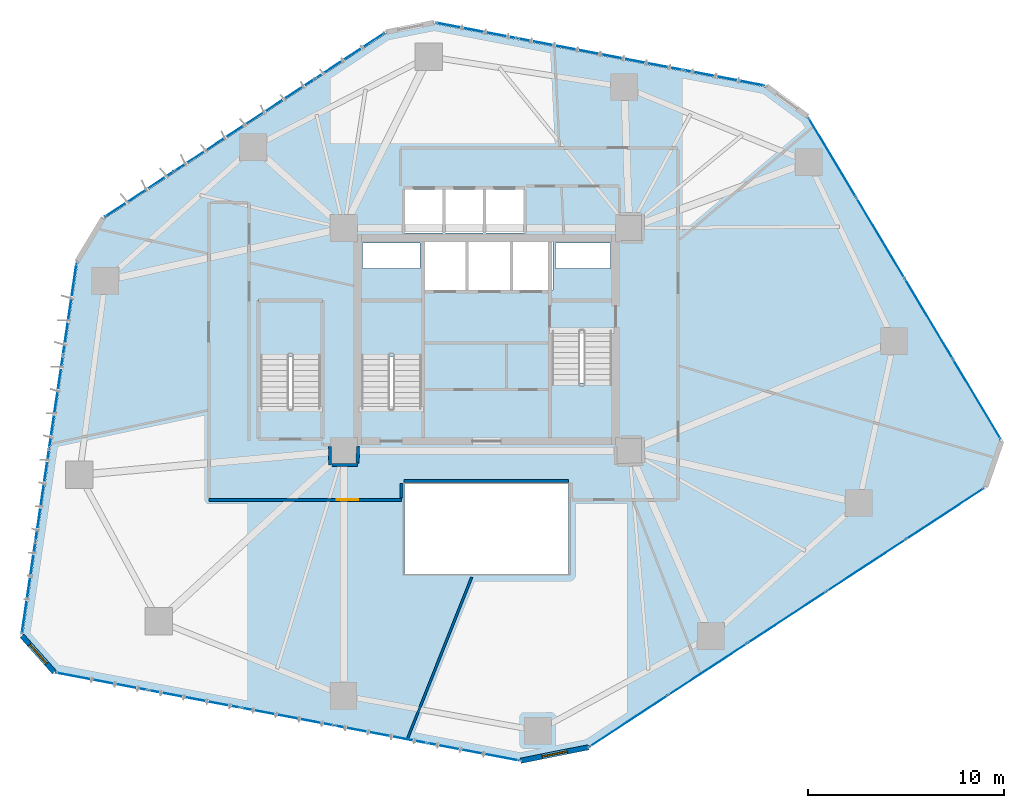
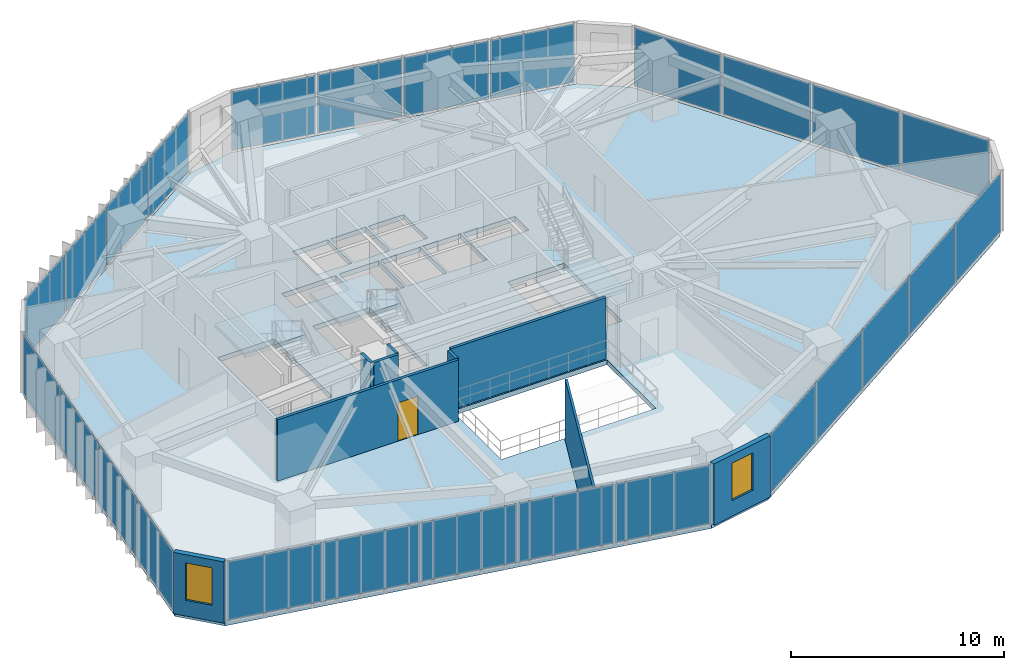
# One storey, part 15 of 20: 26 plates, 9 walls, 4 slabs, 2 windows, 1 door, 3 openings, 9 elements without a shape of their own.
"""IFC4 building model written with IfcOpenShell, lengths in metres."""

from ifc_helpers import new_model, si_unit, direction, frame, frame_2d, origin, origin_2d, place, context, subcontext, project, spatial, polyline, rectangle, outline, extrude, source, transform, mapped, material, layer, layer_set, type_object, type_shapes, element, fill, aggregate, save


model = new_model("IFC4")

# Units and contexts
model_context = context("Model", 3, precision=1e-05, world=origin(), true_north=direction((0.0, 1.0)))
body_context = subcontext(model_context, "Body", "Model", "MODEL_VIEW")
ifc_project = project(units=[si_unit("LENGTHUNIT", "METRE"), si_unit("AREAUNIT", "SQUARE_METRE"), si_unit("VOLUMEUNIT", "CUBIC_METRE"), si_unit("PLANEANGLEUNIT", "RADIAN"), si_unit("MASSUNIT", "GRAM", prefix="KILO")], contexts=[model_context])

# Site, building, storey
site_placement = place(None, origin())
site = spatial("IfcSite", under=ifc_project, at=site_placement, CompositionType="ELEMENT")
building_placement = place(site_placement, origin())
building = spatial("IfcBuilding", under=site, at=building_placement, Name="Talar Marvaseh", CompositionType="ELEMENT")
storey_placement = place(building_placement, frame((0.0, 0.0, 58.199951171875)))
storey = spatial("IfcBuildingStorey", under=building, at=storey_placement, Name="L14", CompositionType="ELEMENT", Elevation=58.199951171875)

# Stair, slab
ifc_material_1 = material(Name="Concrete C40/50", Category="concrete")
stair_type = type_object("IfcStairType", Name="Reinforced Concrete Half-Turn Exit Stair Type B", PredefinedType="HALF_TURN_STAIR", material=ifc_material_1)
stair_1_placement = place(storey_placement, origin())
stair_1 = element("IfcStair", 1, at=stair_1_placement, inside=storey, type_object=stair_type, Name="L14 Tower West Core Exit Stair", PredefinedType="HALF_TURN_STAIR")
ifc_layer_1 = layer(ifc_material_1, 0.199951171875)
ifc_layer_set_1 = layer_set([ifc_layer_1], Name="Concrete C40/50")
slab_type_1 = type_object("IfcSlabType", Name="Reinforced Concrete Stair Half-Landing Slab 200", PredefinedType="LANDING", material=ifc_layer_set_1)
slab_1_placement = place(storey_placement, frame((0.0, 0.0, 1.699951171875)))
slab_1 = element("IfcSlab", 2, at=slab_1_placement, type_object=slab_type_1, Name="ST-1 landing 1", PredefinedType="LANDING", context=body_context, shape_type="SweptSolid", body=[
    extrude(outline(polyline([(22.780029296875, 30.330078125), (22.780029296875, 33.219970703125), (19.47998046875, 33.219970703125), (19.47998046875, 30.330078125), (22.780029296875, 30.330078125)])), origin(), (0.0, 0.0, 1.0), 0.2001953125),
])
aggregate(stair_1, [slab_1])

stair_2_placement = place(storey_placement, origin())
stair_2 = element("IfcStair", 3, at=stair_2_placement, inside=storey, type_object=stair_type, Name="L14 Tower East Core Exit Stair", PredefinedType="HALF_TURN_STAIR")
slab_2_placement = place(storey_placement, frame((0.0, 0.0, 1.699951171875)))
slab_2 = element("IfcSlab", 4, at=slab_2_placement, type_object=slab_type_1, Name="ST-2 landing 1", PredefinedType="LANDING", context=body_context, shape_type="SweptSolid", body=[
    extrude(outline(polyline([(29.219970703125, 28.969970703125), (29.219970703125, 26.080078125), (32.52001953125, 26.080078125), (32.52001953125, 28.969970703125), (29.219970703125, 28.969970703125)])), origin(), (0.0, 0.0, 1.0), 0.2001953125),
])
aggregate(stair_2, [slab_2])

stair_3_placement = place(storey_placement, origin())
stair_3 = element("IfcStair", 5, at=stair_3_placement, inside=storey, type_object=stair_type, Name="L14 Museum & Podium Auxiliary Exit Stair", PredefinedType="HALF_TURN_STAIR")
slab_3_placement = place(storey_placement, frame((0.0, 0.0, 1.699951171875)))
slab_3 = element("IfcSlab", 6, at=slab_3_placement, type_object=slab_type_1, Name="ST-3 landing 1", PredefinedType="LANDING", context=body_context, shape_type="SweptSolid", body=[
    extrude(outline(polyline([(17.6201171875, 30.330078125), (17.6201171875, 33.219970703125), (14.320068359375, 33.219970703125), (14.320068359375, 30.330078125), (17.6201171875, 30.330078125)])), origin(), (0.0, 0.0, 1.0), 0.2001953125),
])
aggregate(stair_3, [slab_3])

# Slab
ifc_layer_2 = layer(ifc_material_1, 0.280029296875)
ifc_layer_set_2 = layer_set([ifc_layer_2], Name="Concrete C40/50")
slab_type_2 = type_object("IfcSlabType", Name="Structural Suspended Floor Slab 280", PredefinedType="FLOOR", material=ifc_layer_set_2)
slab_4_placement = place(storey_placement, frame((0.0, 0.0, -0.280029296875)))
element("IfcSlab", 7, at=slab_4_placement, inside=storey, type_object=slab_type_2, Name="L14 Tower Floor Slab", PredefinedType="FLOOR", context=body_context, shape_type="SweptSolid", body=[
    extrude(outline(polyline([(3.93359375, 14.22607421875), (2.281982421875, 16.081298828125), (5.09765625, 35.14111328125), (6.45361328125, 37.38671875), (20.8662109375, 46.860595703125), (23.333984375, 47.351318359375), (40.27490234375, 44.1142578125), (42.38720703125, 42.558349609375), (52.282470703125, 26.027099609375), (51.46630859375, 23.680908203125), (31.203857421875, 10.400634765625), (27.73583984375, 9.710693359375), (3.93359375, 14.22607421875)]), holes=[polyline([(22.659912109375, 27.64990234375), (22.659912109375, 33.10009765625), (19.60009765625, 33.10009765625), (19.60009765625, 27.64990234375), (22.659912109375, 27.64990234375)]), polyline([(29.340087890625, 31.64990234375), (29.340087890625, 26.199951171875), (32.39990234375, 26.199951171875), (32.39990234375, 31.64990234375), (29.340087890625, 31.64990234375)]), polyline([(17.5, 27.64990234375), (17.5, 33.10009765625), (14.43994140625, 33.10009765625), (14.43994140625, 27.64990234375), (17.5, 27.64990234375)]), polyline([(22.800048828125, 33.719970703125), (24.93994140625, 33.719970703125), (24.93994140625, 36.179931640625), (22.800048828125, 36.179931640625), (22.800048828125, 33.719970703125)]), polyline([(25.080078125, 33.719970703125), (27.219970703125, 33.719970703125), (27.219970703125, 36.179931640625), (25.080078125, 36.179931640625), (25.080078125, 33.719970703125)]), polyline([(27.360107421875, 33.719970703125), (29.39990234375, 33.719970703125), (29.39990234375, 36.179931640625), (27.360107421875, 36.179931640625), (27.360107421875, 33.719970703125)]), polyline([(21.840087890625, 36.659912109375), (23.760009765625, 36.659912109375), (23.760009765625, 38.8798828125), (21.840087890625, 38.8798828125), (21.840087890625, 36.659912109375)]), polyline([(23.89990234375, 36.659912109375), (25.820068359375, 36.659912109375), (25.820068359375, 38.8798828125), (23.89990234375, 38.8798828125), (23.89990234375, 36.659912109375)]), polyline([(25.9599609375, 36.659912109375), (27.8798828125, 36.659912109375), (27.8798828125, 38.8798828125), (25.9599609375, 38.8798828125), (25.9599609375, 36.659912109375)]), polyline([(19.659912109375, 34.840087890625), (22.60009765625, 34.840087890625), (22.60009765625, 36.139892578125), (19.659912109375, 36.139892578125), (19.659912109375, 34.840087890625)]), polyline([(29.52001953125, 34.840087890625), (32.340087890625, 34.840087890625), (32.340087890625, 36.139892578125), (29.52001953125, 36.139892578125), (29.52001953125, 34.840087890625)]), polyline([(21.800048828125, 19.199951171875), (30.199951171875, 19.199951171875), (30.199951171875, 23.800048828125), (21.800048828125, 23.800048828125), (21.800048828125, 19.199951171875)])]), origin(), (0.0, 0.0, 1.0), 0.280029296875),
])

# Curtain wall, plates
ifc_material_2 = material(Name="Architectural Aluminium", Category="aluminium")
ifc_layer_3 = layer(ifc_material_2, 0.219970703125)
ifc_layer_set_3 = layer_set([ifc_layer_3], Name="Architectural Aluminium")
curtain_wall_type = type_object("IfcCurtainWallType", Name="Unitised Low-E Museum Curtain Wall Z1", PredefinedType="NOTDEFINED", material=ifc_layer_set_3)
curtain_wall_1_placement = place(storey_placement, origin())
curtain_wall_1 = element("IfcCurtainWall", 8, at=curtain_wall_1_placement, inside=storey, type_object=curtain_wall_type, Name="L14 Unitised Low-E Museum Curtain Wall Z1", PredefinedType="NOTDEFINED")
ifc_material_3 = material(Name="Laminated Low-E Solar Glass", Category="glass")
ifc_layer_4 = layer(ifc_material_3, 0.028076171875)
ifc_layer_set_4 = layer_set([ifc_layer_4], Name="Laminated Low-E Solar Glass")
plate_type = type_object("IfcPlateType", Name="Double-Glazed Low-E Vision Curtain Panel 28", PredefinedType="CURTAIN_PANEL", material=ifc_layer_set_4)
shared_shape_1 = source(origin(), body_context, "Body", "SweptSolid", [
    extrude(rectangle(XDim=4.696533203125, YDim=0.028076171875, at=origin_2d()), origin(), (0.0, 0.0, 1.0), 3.3701171875),
])
plate_1_placement = place(storey_placement, frame((2.577392578125, 18.492431640625, 0.074951171875), z_axis=(0.0, 0.0, 1.0), x_axis=(0.146150238347, 0.989262405953, 0.0)))
plate_1 = element("IfcPlate", 9, at=plate_1_placement, type_object=plate_type, Name="CW-Z1 panel 1.1", PredefinedType="CURTAIN_PANEL", context=body_context, shape_type="MappedRepresentation", body=[
    mapped(shared_shape_1, transform((0.0, 0.0, 0.0), x_axis=(1.0, 0.0, 0.0), y_axis=(0.0, 1.0, 0.0), z_axis=(0.0, 0.0, 1.0), scale=1.0)),
])
plate_2_placement = place(storey_placement, frame((4.683349609375, 32.74755859375, 0.074951171875), z_axis=(0.0, 0.0, 1.0), x_axis=(0.146150238347, 0.989262405953, 0.0)))
plate_2 = element("IfcPlate", 10, at=plate_2_placement, type_object=plate_type, Name="CW-Z1 panel 4.1", PredefinedType="CURTAIN_PANEL", context=body_context, shape_type="MappedRepresentation", body=[
    mapped(shared_shape_1, transform((0.0, 0.0, 0.0), x_axis=(1.0, 0.0, 0.0), y_axis=(0.0, 1.0, 0.0), z_axis=(0.0, 0.0, 1.0), scale=1.0)),
])

curtain_wall_2_placement = place(storey_placement, origin())
curtain_wall_2 = element("IfcCurtainWall", 11, at=curtain_wall_2_placement, inside=storey, type_object=curtain_wall_type, Name="L14 Unitised Low-E Museum Curtain Wall Z1", PredefinedType="NOTDEFINED")
plate_3_placement = place(storey_placement, frame((43.685791015625, 40.505615234375, 0.074951171875), z_axis=(0.0, 0.0, 1.0), x_axis=(0.513601665445, -0.858028746169, 0.0)))
plate_3 = element("IfcPlate", 12, at=plate_3_placement, type_object=plate_type, Name="CW-Z1 panel 1.1", PredefinedType="CURTAIN_PANEL", context=body_context, shape_type="MappedRepresentation", body=[
    mapped(shared_shape_1, transform((0.0, 0.0, 0.0), x_axis=(1.0, 0.0, 0.0), y_axis=(0.0, 1.0, 0.0), z_axis=(0.0, 0.0, 1.0), scale=1.0)),
])
plate_4_placement = place(storey_placement, frame((51.086669921875, 28.141357421875, 0.074951171875), z_axis=(0.0, 0.0, 1.0), x_axis=(0.513601665445, -0.858028746169, 0.0)))
plate_4 = element("IfcPlate", 13, at=plate_4_placement, type_object=plate_type, Name="CW-Z1 panel 4.1", PredefinedType="CURTAIN_PANEL", context=body_context, shape_type="MappedRepresentation", body=[
    mapped(shared_shape_1, transform((0.0, 0.0, 0.0), x_axis=(1.0, 0.0, 0.0), y_axis=(0.0, 1.0, 0.0), z_axis=(0.0, 0.0, 1.0), scale=1.0)),
])

# Plate
shared_shape_2 = source(origin(), body_context, "Body", "SweptSolid", [
    extrude(rectangle(XDim=4.736572265625, YDim=0.028076171875, at=origin_2d()), origin(), (0.0, 0.0, 1.0), 3.3701171875),
])
plate_5_placement = place(storey_placement, frame((3.2783203125, 23.237548828125, 0.074951171875), z_axis=(0.0, 0.0, 1.0), x_axis=(0.146150238347, 0.989262405953, 0.0)))
plate_5 = element("IfcPlate", 14, at=plate_5_placement, type_object=plate_type, Name="CW-Z1 panel 2.1", PredefinedType="CURTAIN_PANEL", context=body_context, shape_type="MappedRepresentation", body=[
    mapped(shared_shape_2, transform((0.0, 0.0, 0.0), x_axis=(1.0, 0.0, 0.0), y_axis=(0.0, 1.0, 0.0), z_axis=(0.0, 0.0, 1.0), scale=1.0)),
])

plate_6_placement = place(storey_placement, frame((3.982421875, 28.00244140625, 0.074951171875), z_axis=(0.0, 0.0, 1.0), x_axis=(0.146150238347, 0.989262405953, 0.0)))
plate_6 = element("IfcPlate", 15, at=plate_6_placement, type_object=plate_type, Name="CW-Z1 panel 3.1", PredefinedType="CURTAIN_PANEL", context=body_context, shape_type="MappedRepresentation", body=[
    mapped(shared_shape_2, transform((0.0, 0.0, 0.0), x_axis=(1.0, 0.0, 0.0), y_axis=(0.0, 1.0, 0.0), z_axis=(0.0, 0.0, 1.0), scale=1.0)),
])

aggregate(curtain_wall_1, [plate_1, plate_5, plate_6, plate_2])

plate_7_placement = place(storey_placement, frame((46.1494140625, 36.389892578125, 0.074951171875), z_axis=(0.0, 0.0, 1.0), x_axis=(0.513601665445, -0.858028746169, 0.0)))
plate_7 = element("IfcPlate", 16, at=plate_7_placement, type_object=plate_type, Name="CW-Z1 panel 2.1", PredefinedType="CURTAIN_PANEL", context=body_context, shape_type="MappedRepresentation", body=[
    mapped(shared_shape_2, transform((0.0, 0.0, 0.0), x_axis=(1.0, 0.0, 0.0), y_axis=(0.0, 1.0, 0.0), z_axis=(0.0, 0.0, 1.0), scale=1.0)),
])

plate_8_placement = place(storey_placement, frame((48.623046875, 32.257080078125, 0.074951171875), z_axis=(0.0, 0.0, 1.0), x_axis=(0.513601665445, -0.858028746169, 0.0)))
plate_8 = element("IfcPlate", 17, at=plate_8_placement, type_object=plate_type, Name="CW-Z1 panel 3.1", PredefinedType="CURTAIN_PANEL", context=body_context, shape_type="MappedRepresentation", body=[
    mapped(shared_shape_2, transform((0.0, 0.0, 0.0), x_axis=(1.0, 0.0, 0.0), y_axis=(0.0, 1.0, 0.0), z_axis=(0.0, 0.0, 1.0), scale=1.0)),
])

aggregate(curtain_wall_2, [plate_3, plate_7, plate_8, plate_4])

# Curtain wall, plates
curtain_wall_3_placement = place(storey_placement, origin())
curtain_wall_3 = element("IfcCurtainWall", 18, at=curtain_wall_3_placement, inside=storey, type_object=curtain_wall_type, Name="L14 Unitised Low-E Museum Curtain Wall Z1", PredefinedType="NOTDEFINED")
shared_shape_3 = source(origin(), body_context, "Body", "SweptSolid", [
    extrude(rectangle(XDim=4.19189453125, YDim=0.028076171875, at=origin_2d()), origin(), (0.0, 0.0, 1.0), 3.3701171875),
])
plate_9_placement = place(storey_placement, frame((8.239013671875, 38.632080078125, 0.074951171875), z_axis=(0.0, 0.0, 1.0), x_axis=(0.83563636416, 0.549283048067, 0.0)))
plate_9 = element("IfcPlate", 19, at=plate_9_placement, type_object=plate_type, Name="CW-Z1 panel 1.1", PredefinedType="CURTAIN_PANEL", context=body_context, shape_type="MappedRepresentation", body=[
    mapped(shared_shape_3, transform((0.0, 0.0, 0.0), x_axis=(1.0, 0.0, 0.0), y_axis=(0.0, 1.0, 0.0), z_axis=(0.0, 0.0, 1.0), scale=1.0)),
])
plate_10_placement = place(storey_placement, frame((19.014892578125, 45.71533203125, 0.074951171875), z_axis=(0.0, 0.0, 1.0), x_axis=(0.83563636416, 0.549283048067, 0.0)))
plate_10 = element("IfcPlate", 20, at=plate_10_placement, type_object=plate_type, Name="CW-Z1 panel 4.1", PredefinedType="CURTAIN_PANEL", context=body_context, shape_type="MappedRepresentation", body=[
    mapped(shared_shape_3, transform((0.0, 0.0, 0.0), x_axis=(1.0, 0.0, 0.0), y_axis=(0.0, 1.0, 0.0), z_axis=(0.0, 0.0, 1.0), scale=1.0)),
])

curtain_wall_4_placement = place(storey_placement, origin())
curtain_wall_4 = element("IfcCurtainWall", 21, at=curtain_wall_4_placement, inside=storey, type_object=curtain_wall_type, Name="L14 Unitised Low-E Museum Curtain Wall Z1", PredefinedType="NOTDEFINED")
plate_11_placement = place(storey_placement, frame((25.482666015625, 47.001708984375, 0.074951171875), z_axis=(0.0, 0.0, 1.0), x_axis=(0.982229240642, -0.187685158786, 0.0)))
plate_11 = element("IfcPlate", 22, at=plate_11_placement, type_object=plate_type, Name="CW-Z1 panel 1.1", PredefinedType="CURTAIN_PANEL", context=body_context, shape_type="MappedRepresentation", body=[
    mapped(shared_shape_3, transform((0.0, 0.0, 0.0), x_axis=(1.0, 0.0, 0.0), y_axis=(0.0, 1.0, 0.0), z_axis=(0.0, 0.0, 1.0), scale=1.0)),
])
plate_12_placement = place(storey_placement, frame((38.14892578125, 44.58154296875, 0.074951171875), z_axis=(0.0, 0.0, 1.0), x_axis=(0.982229240642, -0.187685158786, 0.0)))
plate_12 = element("IfcPlate", 23, at=plate_12_placement, type_object=plate_type, Name="CW-Z1 panel 4.1", PredefinedType="CURTAIN_PANEL", context=body_context, shape_type="MappedRepresentation", body=[
    mapped(shared_shape_3, transform((0.0, 0.0, 0.0), x_axis=(1.0, 0.0, 0.0), y_axis=(0.0, 1.0, 0.0), z_axis=(0.0, 0.0, 1.0), scale=1.0)),
])

# Plate
shared_shape_4 = source(origin(), body_context, "Body", "SweptSolid", [
    extrude(rectangle(XDim=4.23193359375, YDim=0.028076171875, at=origin_2d()), origin(), (0.0, 0.0, 1.0), 3.3701171875),
])
plate_13_placement = place(storey_placement, frame((11.825439453125, 40.989501953125, 0.074951171875), z_axis=(0.0, 0.0, 1.0), x_axis=(0.83563636416, 0.549283048067, 0.0)))
plate_13 = element("IfcPlate", 24, at=plate_13_placement, type_object=plate_type, Name="CW-Z1 panel 2.1", PredefinedType="CURTAIN_PANEL", context=body_context, shape_type="MappedRepresentation", body=[
    mapped(shared_shape_4, transform((0.0, 0.0, 0.0), x_axis=(1.0, 0.0, 0.0), y_axis=(0.0, 1.0, 0.0), z_axis=(0.0, 0.0, 1.0), scale=1.0)),
])

plate_14_placement = place(storey_placement, frame((15.428466796875, 43.35791015625, 0.074951171875), z_axis=(0.0, 0.0, 1.0), x_axis=(0.83563636416, 0.549283048067, 0.0)))
plate_14 = element("IfcPlate", 25, at=plate_14_placement, type_object=plate_type, Name="CW-Z1 panel 3.1", PredefinedType="CURTAIN_PANEL", context=body_context, shape_type="MappedRepresentation", body=[
    mapped(shared_shape_4, transform((0.0, 0.0, 0.0), x_axis=(1.0, 0.0, 0.0), y_axis=(0.0, 1.0, 0.0), z_axis=(0.0, 0.0, 1.0), scale=1.0)),
])

aggregate(curtain_wall_3, [plate_9, plate_13, plate_14, plate_10])

plate_15_placement = place(storey_placement, frame((29.6982421875, 46.1962890625, 0.074951171875), z_axis=(0.0, 0.0, 1.0), x_axis=(0.982229240642, -0.187685158786, 0.0)))
plate_15 = element("IfcPlate", 26, at=plate_15_placement, type_object=plate_type, Name="CW-Z1 panel 2.1", PredefinedType="CURTAIN_PANEL", context=body_context, shape_type="MappedRepresentation", body=[
    mapped(shared_shape_4, transform((0.0, 0.0, 0.0), x_axis=(1.0, 0.0, 0.0), y_axis=(0.0, 1.0, 0.0), z_axis=(0.0, 0.0, 1.0), scale=1.0)),
])

plate_16_placement = place(storey_placement, frame((33.933349609375, 45.386962890625, 0.074951171875), z_axis=(0.0, 0.0, 1.0), x_axis=(0.982229240642, -0.187685158786, 0.0)))
plate_16 = element("IfcPlate", 27, at=plate_16_placement, type_object=plate_type, Name="CW-Z1 panel 3.1", PredefinedType="CURTAIN_PANEL", context=body_context, shape_type="MappedRepresentation", body=[
    mapped(shared_shape_4, transform((0.0, 0.0, 0.0), x_axis=(1.0, 0.0, 0.0), y_axis=(0.0, 1.0, 0.0), z_axis=(0.0, 0.0, 1.0), scale=1.0)),
])

aggregate(curtain_wall_4, [plate_11, plate_15, plate_16, plate_12])

# Curtain wall, plates
curtain_wall_5_placement = place(storey_placement, origin())
curtain_wall_5 = element("IfcCurtainWall", 28, at=curtain_wall_5_placement, inside=storey, type_object=curtain_wall_type, Name="L14 Unitised Low-E Museum Curtain Wall Z1", PredefinedType="NOTDEFINED")
shared_shape_5 = source(origin(), body_context, "Body", "SweptSolid", [
    extrude(rectangle(XDim=4.725341796875, YDim=0.028076171875, at=origin_2d()), origin(), (0.0, 0.0, 1.0), 3.3701171875),
])
plate_17_placement = place(storey_placement, frame((49.456298828125, 22.291748046875, 0.074951171875), z_axis=(0.0, 0.0, 1.0), x_axis=(-0.836370882792, -0.548163977673, 0.0)))
plate_17 = element("IfcPlate", 29, at=plate_17_placement, type_object=plate_type, Name="CW-Z1 panel 1.1", PredefinedType="CURTAIN_PANEL", context=body_context, shape_type="MappedRepresentation", body=[
    mapped(shared_shape_5, transform((0.0, 0.0, 0.0), x_axis=(1.0, 0.0, 0.0), y_axis=(0.0, 1.0, 0.0), z_axis=(0.0, 0.0, 1.0), scale=1.0)),
])
plate_18_placement = place(storey_placement, frame((33.27978515625, 11.689453125, 0.074951171875), z_axis=(0.0, 0.0, 1.0), x_axis=(-0.836370882792, -0.548163977673, 0.0)))
plate_18 = element("IfcPlate", 30, at=plate_18_placement, type_object=plate_type, Name="CW-Z1 panel 5.1", PredefinedType="CURTAIN_PANEL", context=body_context, shape_type="MappedRepresentation", body=[
    mapped(shared_shape_5, transform((0.0, 0.0, 0.0), x_axis=(1.0, 0.0, 0.0), y_axis=(0.0, 1.0, 0.0), z_axis=(0.0, 0.0, 1.0), scale=1.0)),
])

curtain_wall_6_placement = place(storey_placement, origin())
curtain_wall_6 = element("IfcCurtainWall", 31, at=curtain_wall_6_placement, inside=storey, type_object=curtain_wall_type, Name="L14 Unitised Low-E Museum Curtain Wall Z1", PredefinedType="NOTDEFINED")
plate_19_placement = place(storey_placement, frame((25.32470703125, 10.107177734375, 0.074951171875), z_axis=(0.0, 0.0, 1.0), x_axis=(-0.982479045128, 0.186373082508, 0.0)))
plate_19 = element("IfcPlate", 32, at=plate_19_placement, type_object=plate_type, Name="CW-Z1 panel 1.1", PredefinedType="CURTAIN_PANEL", context=body_context, shape_type="MappedRepresentation", body=[
    mapped(shared_shape_5, transform((0.0, 0.0, 0.0), x_axis=(1.0, 0.0, 0.0), y_axis=(0.0, 1.0, 0.0), z_axis=(0.0, 0.0, 1.0), scale=1.0)),
])
plate_20_placement = place(storey_placement, frame((6.322265625, 13.7119140625, 0.074951171875), z_axis=(0.0, 0.0, 1.0), x_axis=(-0.982479045128, 0.186373082508, 0.0)))
plate_20 = element("IfcPlate", 33, at=plate_20_placement, type_object=plate_type, Name="CW-Z1 panel 5.1", PredefinedType="CURTAIN_PANEL", context=body_context, shape_type="MappedRepresentation", body=[
    mapped(shared_shape_5, transform((0.0, 0.0, 0.0), x_axis=(1.0, 0.0, 0.0), y_axis=(0.0, 1.0, 0.0), z_axis=(0.0, 0.0, 1.0), scale=1.0)),
])

# Plate
shared_shape_6 = source(origin(), body_context, "Body", "SweptSolid", [
    extrude(rectangle(XDim=4.765380859375, YDim=0.028076171875, at=origin_2d()), origin(), (0.0, 0.0, 1.0), 3.3701171875),
])
type_shapes(plate_type, [shared_shape_1, shared_shape_2, shared_shape_3, shared_shape_4, shared_shape_5, shared_shape_6])
plate_21_placement = place(storey_placement, frame((45.420654296875, 19.646728515625, 0.074951171875), z_axis=(0.0, 0.0, 1.0), x_axis=(-0.836370882792, -0.548163977673, 0.0)))
plate_21 = element("IfcPlate", 34, at=plate_21_placement, type_object=plate_type, Name="CW-Z1 panel 2.1", PredefinedType="CURTAIN_PANEL", context=body_context, shape_type="MappedRepresentation", body=[
    mapped(shared_shape_6, transform((0.0, 0.0, 0.0), x_axis=(1.0, 0.0, 0.0), y_axis=(0.0, 1.0, 0.0), z_axis=(0.0, 0.0, 1.0), scale=1.0)),
])

plate_22_placement = place(storey_placement, frame((41.3681640625, 16.990478515625, 0.074951171875), z_axis=(0.0, 0.0, 1.0), x_axis=(-0.836370882792, -0.548163977673, 0.0)))
plate_22 = element("IfcPlate", 35, at=plate_22_placement, type_object=plate_type, Name="CW-Z1 panel 3.1", PredefinedType="CURTAIN_PANEL", context=body_context, shape_type="MappedRepresentation", body=[
    mapped(shared_shape_6, transform((0.0, 0.0, 0.0), x_axis=(1.0, 0.0, 0.0), y_axis=(0.0, 1.0, 0.0), z_axis=(0.0, 0.0, 1.0), scale=1.0)),
])

plate_23_placement = place(storey_placement, frame((37.3154296875, 14.33447265625, 0.074951171875), z_axis=(0.0, 0.0, 1.0), x_axis=(-0.836370882792, -0.548163977673, 0.0)))
plate_23 = element("IfcPlate", 36, at=plate_23_placement, type_object=plate_type, Name="CW-Z1 panel 4.1", PredefinedType="CURTAIN_PANEL", context=body_context, shape_type="MappedRepresentation", body=[
    mapped(shared_shape_6, transform((0.0, 0.0, 0.0), x_axis=(1.0, 0.0, 0.0), y_axis=(0.0, 1.0, 0.0), z_axis=(0.0, 0.0, 1.0), scale=1.0)),
])

aggregate(curtain_wall_5, [plate_17, plate_21, plate_22, plate_23, plate_18])

plate_24_placement = place(storey_placement, frame((20.583984375, 11.00634765625, 0.074951171875), z_axis=(0.0, 0.0, 1.0), x_axis=(-0.982479045128, 0.186373082508, 0.0)))
plate_24 = element("IfcPlate", 37, at=plate_24_placement, type_object=plate_type, Name="CW-Z1 panel 2.1", PredefinedType="CURTAIN_PANEL", context=body_context, shape_type="MappedRepresentation", body=[
    mapped(shared_shape_6, transform((0.0, 0.0, 0.0), x_axis=(1.0, 0.0, 0.0), y_axis=(0.0, 1.0, 0.0), z_axis=(0.0, 0.0, 1.0), scale=1.0)),
])

plate_25_placement = place(storey_placement, frame((15.823486328125, 11.909423828125, 0.074951171875), z_axis=(0.0, 0.0, 1.0), x_axis=(-0.982479045128, 0.186373082508, 0.0)))
plate_25 = element("IfcPlate", 38, at=plate_25_placement, type_object=plate_type, Name="CW-Z1 panel 3.1", PredefinedType="CURTAIN_PANEL", context=body_context, shape_type="MappedRepresentation", body=[
    mapped(shared_shape_6, transform((0.0, 0.0, 0.0), x_axis=(1.0, 0.0, 0.0), y_axis=(0.0, 1.0, 0.0), z_axis=(0.0, 0.0, 1.0), scale=1.0)),
])

plate_26_placement = place(storey_placement, frame((11.06298828125, 12.8125, 0.074951171875), z_axis=(0.0, 0.0, 1.0), x_axis=(-0.982479045128, 0.186373082508, 0.0)))
plate_26 = element("IfcPlate", 39, at=plate_26_placement, type_object=plate_type, Name="CW-Z1 panel 4.1", PredefinedType="CURTAIN_PANEL", context=body_context, shape_type="MappedRepresentation", body=[
    mapped(shared_shape_6, transform((0.0, 0.0, 0.0), x_axis=(1.0, 0.0, 0.0), y_axis=(0.0, 1.0, 0.0), z_axis=(0.0, 0.0, 1.0), scale=1.0)),
])

aggregate(curtain_wall_6, [plate_19, plate_24, plate_25, plate_26, plate_20])

# Wall, opening, window
ifc_material_4 = material(Name="Precast concrete C45/55", Category="concrete")
ifc_layer_5 = layer(ifc_material_4, 0.27001953125)
ifc_layer_set_5 = layer_set([ifc_layer_5], Name="Precast concrete C45/55")
wall_type_1 = type_object("IfcWallType", Name="Chamfered Hexagonal Corner Pier Wall Z1 270", PredefinedType="SOLIDWALL", material=ifc_layer_set_5)
wall_1_placement = place(storey_placement, frame((3.888916015625, 14.18603515625, 0.0), z_axis=(0.0, 0.0, 1.0), x_axis=(-0.664937034347, 0.74689941783, 0.0)))
wall_1 = element("IfcWall", 40, at=wall_1_placement, inside=storey, type_object=wall_type_1, Name="L14 Chamfered Corner Limestone Pier 1", PredefinedType="SOLIDWALL", context=body_context, shape_type="SweptSolid", body=[
    extrude(rectangle(XDim=2.484130859375, YDim=0.27001953125, at=frame_2d((1.2421875, 0.0))), origin(), (0.0, 0.0, 1.0), 3.52001953125),
])
opening_1_placement = place(wall_1_placement, frame((0.592041015625, 0.0, 0.89990234375)))
opening_1 = element("IfcOpeningElement", 41, at=opening_1_placement, cuts=wall_1, Name="Opening WN-CHM13", PredefinedType="OPENING", context=body_context, shape_type="SweptSolid", body=[
    extrude(rectangle(XDim=1.300048828125, YDim=2.14990234375, at=frame_2d((0.64990234375, 1.074951171875))), frame((0.0, 0.14501953125, 0.0), z_axis=(0.0, -1.0, 0.0), x_axis=(1.0, 0.0, 0.0)), (0.0, 0.0, 1.0), 0.2900390625),
])
window_type = type_object("IfcWindowType", Name="Zone 1 Chamfered Corner Slot Window 1300x2150", PartitioningType="SINGLE_PANEL", PredefinedType="WINDOW", material=ifc_material_3)
shared_shape_7 = source(origin(), body_context, "Body", "SweptSolid", [
    extrude(rectangle(XDim=1.300048828125, YDim=2.14990234375, at=frame_2d((0.64990234375, 1.074951171875))), frame((0.0, 0.030029296875, 0.0), z_axis=(0.0, -1.0, 0.0), x_axis=(1.0, 0.0, 0.0)), (0.0, 0.0, 1.0), 0.06005859375),
])
type_shapes(window_type, [shared_shape_7])
window_1_placement = place(opening_1_placement, origin())
window_1 = element("IfcWindow", 42, at=window_1_placement, inside=storey, type_object=window_type, Name="L14 Chamfered Corner Slot Window", OverallHeight=2.14990234375, OverallWidth=1.300048828125, PartitioningType="SINGLE_PANEL", PredefinedType="WINDOW", context=body_context, shape_type="MappedRepresentation", body=[
    mapped(shared_shape_7, transform((0.0, 0.0, 0.0), x_axis=(1.0, 0.0, 0.0), y_axis=(0.0, 1.0, 0.0), z_axis=(0.0, 0.0, 1.0), scale=1.0)),
])
fill(opening_1, window_1)

wall_2_placement = place(storey_placement, frame((31.215576171875, 10.341796875, 0.0), z_axis=(0.0, 0.0, 1.0), x_axis=(-0.980792548298, -0.195053780285, 0.0)))
wall_2 = element("IfcWall", 43, at=wall_2_placement, inside=storey, type_object=wall_type_1, Name="L14 Chamfered Corner Limestone Pier 6", PredefinedType="SOLIDWALL", context=body_context, shape_type="SweptSolid", body=[
    extrude(rectangle(XDim=3.535888671875, YDim=0.27001953125, at=frame_2d((1.76806640625, 0.0))), origin(), (0.0, 0.0, 1.0), 3.52001953125),
])
opening_2_placement = place(wall_2_placement, frame((1.117919921875, 0.0, 0.89990234375)))
opening_2 = element("IfcOpeningElement", 44, at=opening_2_placement, cuts=wall_2, Name="Opening WN-CHM13", PredefinedType="OPENING", context=body_context, shape_type="SweptSolid", body=[
    extrude(rectangle(XDim=1.300048828125, YDim=2.14990234375, at=frame_2d((0.64990234375, 1.074951171875))), frame((0.0, 0.14501953125, 0.0), z_axis=(0.0, -1.0, 0.0), x_axis=(1.0, 0.0, 0.0)), (0.0, 0.0, 1.0), 0.2900390625),
])
window_2_placement = place(opening_2_placement, origin())
window_2 = element("IfcWindow", 45, at=window_2_placement, inside=storey, type_object=window_type, Name="L14 Chamfered Corner Slot Window", OverallHeight=2.14990234375, OverallWidth=1.300048828125, PartitioningType="SINGLE_PANEL", PredefinedType="WINDOW", context=body_context, shape_type="MappedRepresentation", body=[
    mapped(shared_shape_7, transform((0.0, 0.0, 0.0), x_axis=(1.0, 0.0, 0.0), y_axis=(0.0, 1.0, 0.0), z_axis=(0.0, 0.0, 1.0), scale=1.0)),
])
fill(opening_2, window_2)

# Wall, opening, door
ifc_material_5 = material(Name="Gypsum Board Partition Assembly")
ifc_layer_6 = layer(ifc_material_5, 0.155029296875)
ifc_layer_set_6 = layer_set([ifc_layer_6], Name="Gypsum Board Partition Assembly")
wall_type_2 = type_object("IfcWallType", Name="Corridor Fire-Rated Acoustic Partition 155", PredefinedType="PARTITIONING", material=ifc_layer_set_6)
wall_3_placement = place(storey_placement, frame((21.639892578125, 23.0, 0.0), z_axis=(0.0, 0.0, 1.0), x_axis=(-1.0, 0.0, 0.0)))
wall_3 = element("IfcWall", 46, at=wall_3_placement, inside=storey, type_object=wall_type_2, Name="L14 Interior Partition Wall", PredefinedType="PARTITIONING", context=body_context, shape_type="SweptSolid", body=[
    extrude(rectangle(XDim=9.83984375, YDim=0.155029296875, at=frame_2d((4.919921875, 0.0))), origin(), (0.0, 0.0, 1.0), 3.52001953125),
])
opening_3_placement = place(wall_3_placement, frame((2.205078125, 0.0, 0.0)))
opening_3 = element("IfcOpeningElement", 47, at=opening_3_placement, cuts=wall_3, Name="Opening DR-RM110", PredefinedType="OPENING", context=body_context, shape_type="SweptSolid", body=[
    extrude(rectangle(XDim=1.10009765625, YDim=2.199951171875, at=frame_2d((0.550048828125, 1.10009765625))), frame((0.0, 0.08740234375, 0.0), z_axis=(0.0, -1.0, 0.0), x_axis=(1.0, 0.0, 0.0)), (0.0, 0.0, 1.0), 0.175048828125),
])
ifc_material_6 = material(Name="Acoustic Engineered Oak Timber", Category="wood")
door_type = type_object("IfcDoorType", Name="Assembly and Reading Hall Door 1100x2200", OperationType="NOTDEFINED", PredefinedType="DOOR", material=ifc_material_6)
shared_shape_8 = source(origin(), body_context, "Body", "SweptSolid", [
    extrude(rectangle(XDim=1.10009765625, YDim=2.199951171875, at=frame_2d((0.550048828125, 1.10009765625))), frame((0.0, 0.02490234375, 0.0), z_axis=(0.0, -1.0, 0.0), x_axis=(1.0, 0.0, 0.0)), (0.0, 0.0, 1.0), 0.050048828125),
])
type_shapes(door_type, [shared_shape_8])
door_placement = place(opening_3_placement, origin())
door = element("IfcDoor", 48, at=door_placement, inside=storey, type_object=door_type, Name="L14 Exhibition Gallery Door", OperationType="SINGLE_SWING_LEFT", OverallHeight=2.199951171875, OverallWidth=1.10009765625, PredefinedType="DOOR", context=body_context, shape_type="MappedRepresentation", body=[
    mapped(shared_shape_8, transform((0.0, 0.0, 0.0), x_axis=(1.0, 0.0, 0.0), y_axis=(0.0, 1.0, 0.0), z_axis=(0.0, 0.0, 1.0), scale=1.0)),
])
fill(opening_3, door)

# Walls
wall_4_placement = place(storey_placement, frame((30.199951171875, 23.9599609375, 0.0), z_axis=(0.0, 0.0, 1.0), x_axis=(-0.999999996213, -8.7029677e-05, 0.0)))
element("IfcWall", 49, at=wall_4_placement, inside=storey, type_object=wall_type_2, Name="L14 Interior Partition Wall", PredefinedType="PARTITIONING", context=body_context, shape_type="SweptSolid", body=[
    extrude(rectangle(XDim=8.415771484375, YDim=0.155029296875, at=frame_2d((4.2080078125, 0.0))), origin(), (0.0, 0.0, 1.0), 3.52001953125),
])
wall_5_placement = place(storey_placement, frame((21.64306640625, 23.831298828125, 0.0), z_axis=(0.0, 0.0, 1.0), x_axis=(-0.00359122725, -0.999993551523, 0.0)))
element("IfcWall", 50, at=wall_5_placement, inside=storey, type_object=wall_type_2, Name="L14 Interior Partition Wall", PredefinedType="PARTITIONING", context=body_context, shape_type="SweptSolid", body=[
    extrude(rectangle(XDim=0.747802734375, YDim=0.155029296875, at=frame_2d((0.3740234375, 0.0))), origin(), (0.0, 0.0, 1.0), 3.52001953125),
])
wall_6_placement = place(storey_placement, frame((17.986083984375, 25.716552734375, 0.0), z_axis=(0.0, 0.0, 1.0), x_axis=(0.013367088724, -0.999910656478, 0.0)))
element("IfcWall", 51, at=wall_6_placement, inside=storey, type_object=wall_type_2, Name="L14 Interior Partition Wall", PredefinedType="PARTITIONING", context=body_context, shape_type="SweptSolid", body=[
    extrude(rectangle(XDim=0.931396484375, YDim=0.155029296875, at=frame_2d((0.4658203125, 0.0))), origin(), (0.0, 0.0, 1.0), 3.52001953125),
])
wall_7_placement = place(storey_placement, frame((18.08203125, 24.78515625, 0.0), z_axis=(0.0, 0.0, 1.0), x_axis=(0.99999830547, 0.001840939443, 0.0)))
element("IfcWall", 52, at=wall_7_placement, inside=storey, type_object=wall_type_2, Name="L14 Interior Partition Wall", PredefinedType="PARTITIONING", context=body_context, shape_type="SweptSolid", body=[
    extrude(rectangle(XDim=1.326171875, YDim=0.155029296875, at=frame_2d((0.6630859375, 0.0))), origin(), (0.0, 0.0, 1.0), 3.52001953125),
])
wall_8_placement = place(storey_placement, frame((19.408935546875, 24.87109375, 0.0), z_axis=(0.0, 0.0, 1.0), x_axis=(0.007106130977, 0.999974751133, 0.0)))
element("IfcWall", 53, at=wall_8_placement, inside=storey, type_object=wall_type_2, Name="L14 Interior Partition Wall", PredefinedType="PARTITIONING", context=body_context, shape_type="SweptSolid", body=[
    extrude(rectangle(XDim=0.85888671875, YDim=0.155029296875, at=frame_2d((0.429443359375, 0.0))), origin(), (0.0, 0.0, 1.0), 3.52001953125),
])
ifc_layer_7 = layer(ifc_material_5, 0.1201171875)
ifc_layer_set_7 = layer_set([ifc_layer_7], Name="Gypsum Board Partition Assembly")
wall_type_3 = type_object("IfcWallType", Name="Demountable Studio Room Partition 120", PredefinedType="PARTITIONING", material=ifc_layer_set_7)
wall_9_placement = place(storey_placement, frame((25.239990234375, 19.0400390625, 0.0), z_axis=(0.0, 0.0, 1.0), x_axis=(-0.369407618304, -0.929267459637, 0.0)))
element("IfcWall", 54, at=wall_9_placement, inside=storey, type_object=wall_type_3, Name="L14 Interior Partition Wall", PredefinedType="PARTITIONING", context=body_context, shape_type="SweptSolid", body=[
    extrude(rectangle(XDim=8.897705078125, YDim=0.1201171875, at=frame_2d((4.44873046875, 0.0))), origin(), (0.0, 0.0, 1.0), 3.52001953125),
])

save(model, "model.ifc")
